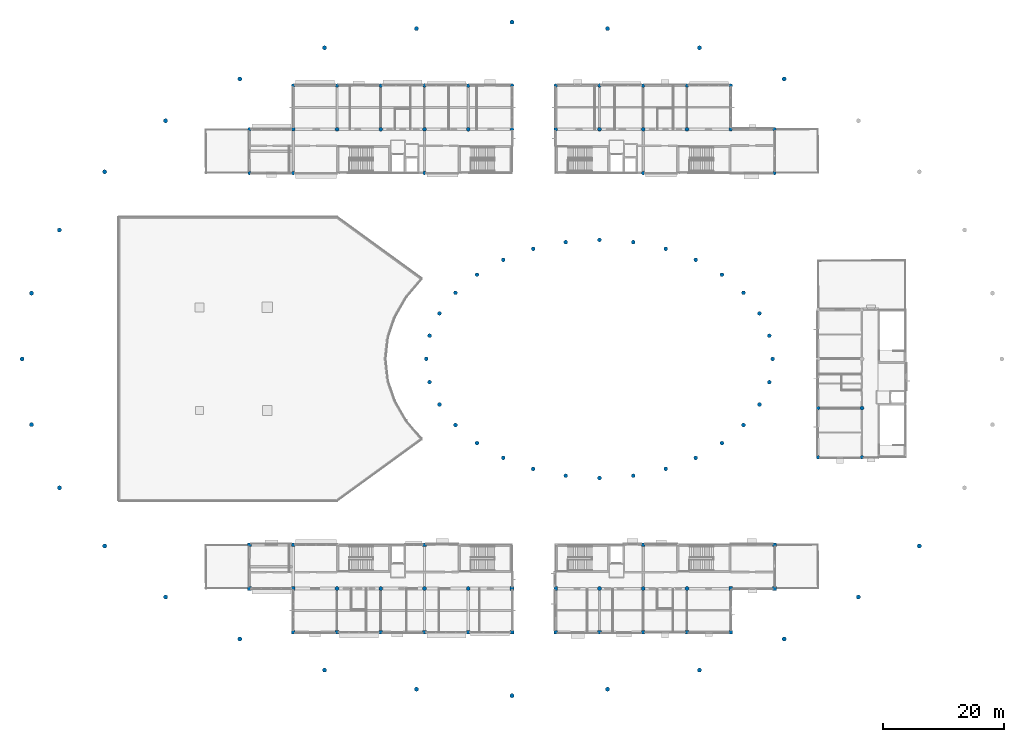
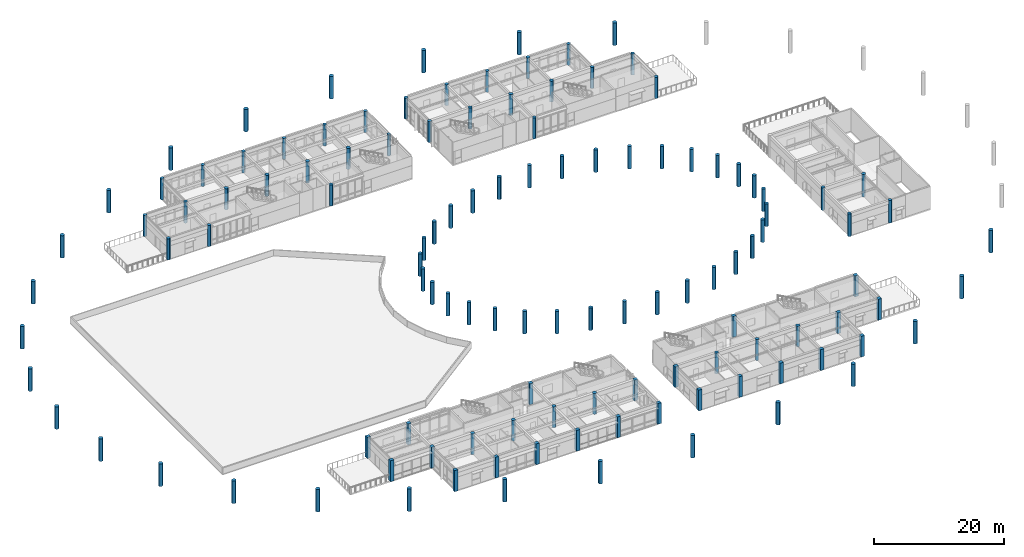
# One storey, part 1 of 55: 119 columns.
"""IFC4 building model written with IfcOpenShell, lengths in metres."""

from ifc_helpers import new_model, si_unit, direction, frame, origin, origin_2d, place, context, subcontext, project, spatial, rectangle, circle, extrude, material, material_profile, profile_set, type_object, element, save


model = new_model("IFC4")

# Units and contexts
model_context = context("Model", 3, precision=1e-05, world=origin(), true_north=direction((0.0, 1.0)))
body_context = subcontext(model_context, "Body", "Model", "MODEL_VIEW")
ifc_project = project(units=[si_unit("LENGTHUNIT", "METRE"), si_unit("AREAUNIT", "SQUARE_METRE"), si_unit("VOLUMEUNIT", "CUBIC_METRE"), si_unit("PLANEANGLEUNIT", "RADIAN"), si_unit("MASSUNIT", "GRAM", prefix="KILO")], contexts=[model_context])

# Site, building, storey
site_placement = place(None, origin())
site = spatial("IfcSite", under=ifc_project, at=site_placement, CompositionType="ELEMENT")
building_placement = place(site_placement, origin())
building = spatial("IfcBuilding", under=site, at=building_placement, Name="Namkhue Oval Health Centre", CompositionType="ELEMENT")
storey_placement = place(building_placement, frame((0.0, 0.0, 9.60009765625)))
storey = spatial("IfcBuildingStorey", under=building, at=storey_placement, Name="L02", CompositionType="ELEMENT", Elevation=9.60009765625)

# Columns
ifc_material = material(Name="Reinforced concrete C35/45 (TCVN B40)", Category="concrete")
ifc_material_profile_1 = material_profile(ifc_material, rectangle(XDim=0.60009765625, YDim=0.60009765625, at=origin_2d()), Name="RC 600x600")
ifc_profile_set_1 = profile_set([ifc_material_profile_1], Name="Reinforced concrete C35/45 (TCVN B40)")
column_type_1 = type_object("IfcColumnType", Name="RC COLUMN 600X600 EXT", PredefinedType="COLUMN", material=ifc_profile_set_1)
for number, where, z_axis, x_axis, name in (
    (1, (43.199951171875, 21.60009765625, 0.0), (0.0, 0.0, 1.0), (1.0, 0.0, 0.0), "Volume V4 L02 Column 7/D"),
    (2, (43.199951171875, 28.800048828125, 0.0), (0.0, 0.0, 1.0), (1.0, 0.0, 0.0), "Volume V4 L02 Column 7/E"),
    (3, (50.39990234375, 14.39990234375, 0.0), (0.0, 0.0, 1.0), (1.0, 0.0, 0.0), "Volume V4 L02 Column 8/C"),
    (4, (50.39990234375, 21.60009765625, 0.0), (0.0, 0.0, 1.0), (1.0, 0.0, 0.0), "Volume V4 L02 Column 8/D"),
    (5, (50.39990234375, 28.800048828125, 0.0), (0.0, 0.0, 1.0), (1.0, 0.0, 0.0), "Volume V4 L02 Column 8/E"),
):
    element("IfcColumn", number, at=place(storey_placement, frame(where, z_axis=z_axis, x_axis=x_axis)), inside=storey, type_object=column_type_1, Name=name, PredefinedType="COLUMN", context=body_context, shape_type="SweptSolid", body=[
        extrude(rectangle(XDim=0.60009765625, YDim=0.60009765625, at=origin_2d()), origin(), (0.0, 0.0, 1.0), 3.94189453125),
    ])
for number, where, z_axis, x_axis, name in (
    (6, (57.60009765625, 14.39990234375, 0.0), (0.0, 0.0, 1.0), (1.0, 0.0, 0.0), "Volume V4 L02 Column 9/C"),
    (7, (64.800048828125, 14.39990234375, 0.0), (0.0, 0.0, 1.0), (1.0, 0.0, 0.0), "Volume V4 L02 Column 10/C"),
    (8, (72.0, 14.39990234375, 0.0), (0.0, 0.0, 1.0), (1.0, 0.0, 0.0), "Volume V4 L02 Column 11/C"),
    (9, (72.0, 28.800048828125, 0.0), (0.0, 0.0, 1.0), (1.0, 0.0, 0.0), "Volume V4 L02 Column 11/E"),
    (10, (79.199951171875, 14.39990234375, 0.0), (0.0, 0.0, 1.0), (1.0, 0.0, 0.0), "Volume V4 L02 Column 12/C"),
    (11, (86.39990234375, 14.39990234375, 0.0), (0.0, 0.0, 1.0), (1.0, 0.0, 0.0), "Volume V4 L02 Column 13/C"),
    (12, (86.39990234375, 21.60009765625, 0.0), (0.0, 0.0, 1.0), (1.0, 0.0, 0.0), "Volume V4 L02 Column 13/D"),
):
    element("IfcColumn", number, at=place(storey_placement, frame(where, z_axis=z_axis, x_axis=x_axis)), inside=storey, type_object=column_type_1, Name=name, PredefinedType="COLUMN", context=body_context, shape_type="SweptSolid", body=[
        extrude(rectangle(XDim=0.60009765625, YDim=0.60009765625, at=origin_2d()), origin(), (0.0, 0.0, 1.0), 3.89990234375),
    ])
for number, where, z_axis, x_axis, name in (
    (13, (93.60009765625, 14.39990234375, 0.0), (0.0, 0.0, 1.0), (1.0, 0.0, 0.0), "Volume V5 L02 Column 14/C"),
    (14, (93.60009765625, 21.60009765625, 0.0), (0.0, 0.0, 1.0), (1.0, 0.0, 0.0), "Volume V5 L02 Column 14/D"),
    (15, (100.800048828125, 14.39990234375, 0.0), (0.0, 0.0, 1.0), (1.0, 0.0, 0.0), "Volume V5 L02 Column 15/C"),
    (16, (108.0, 14.39990234375, 0.0), (0.0, 0.0, 1.0), (1.0, 0.0, 0.0), "Volume V5 L02 Column 16/C"),
    (17, (108.0, 28.800048828125, 0.0), (0.0, 0.0, 1.0), (1.0, 0.0, 0.0), "Volume V5 L02 Column 16/E"),
    (18, (115.199951171875, 14.39990234375, 0.0), (0.0, 0.0, 1.0), (1.0, 0.0, 0.0), "Volume V5 L02 Column 17/C"),
    (19, (122.39990234375, 14.39990234375, 0.0), (0.0, 0.0, 1.0), (1.0, 0.0, 0.0), "Volume V5 L02 Column 18/C"),
    (20, (122.39990234375, 21.60009765625, 0.0), (0.0, 0.0, 1.0), (1.0, 0.0, 0.0), "Volume V5 L02 Column 18/D"),
):
    element("IfcColumn", number, at=place(storey_placement, frame(where, z_axis=z_axis, x_axis=x_axis)), inside=storey, type_object=column_type_1, Name=name, PredefinedType="COLUMN", context=body_context, shape_type="SweptSolid", body=[
        extrude(rectangle(XDim=0.60009765625, YDim=0.60009765625, at=origin_2d()), origin(), (0.0, 0.0, 1.0), 3.885009765625),
    ])
for number, where, z_axis, x_axis, name in (
    (21, (129.60009765625, 21.60009765625, 0.0), (0.0, 0.0, 1.0), (1.0, 0.0, 0.0), "Volume V5 L02 Column 19/D"),
    (22, (129.60009765625, 28.800048828125, 0.0), (0.0, 0.0, 1.0), (1.0, 0.0, 0.0), "Volume V5 L02 Column 19/E"),
):
    element("IfcColumn", number, at=place(storey_placement, frame(where, z_axis=z_axis, x_axis=x_axis)), inside=storey, type_object=column_type_1, Name=name, PredefinedType="COLUMN", context=body_context, shape_type="SweptSolid", body=[
        extrude(rectangle(XDim=0.60009765625, YDim=0.60009765625, at=origin_2d()), origin(), (0.0, 0.0, 1.0), 3.931884765625),
    ])
ifc_material_profile_2 = material_profile(ifc_material, circle(Radius=0.300048828125, at=origin_2d()), Name="RC D600")
ifc_profile_set_2 = profile_set([ifc_material_profile_2], Name="Reinforced concrete C35/45 (TCVN B40)")
column_type_2 = type_object("IfcColumnType", Name="RC COLUMN D600 EXT", PredefinedType="COLUMN", material=ifc_profile_set_2)
for number, where, z_axis, x_axis, name in (
    (23, (43.199951171875, 90.0, 0.0), (0.0, 0.0, 1.0), (1.0, 0.0, 0.0), "Volume V2 L02 Column 7/N"),
    (24, (43.199951171875, 97.199951171875, 0.0), (0.0, 0.0, 1.0), (1.0, 0.0, 0.0), "Volume V2 L02 Column 7/O"),
):
    element("IfcColumn", number, at=place(storey_placement, frame(where, z_axis=z_axis, x_axis=x_axis)), inside=storey, type_object=column_type_2, Name=name, PredefinedType="COLUMN", context=body_context, shape_type="SweptSolid", body=[
        extrude(circle(Radius=0.300048828125, at=origin_2d()), origin(), (0.0, 0.0, 1.0), 3.977783203125),
    ])
for number, where, z_axis, x_axis, name in (
    (25, (50.39990234375, 90.0, 0.0), (0.0, 0.0, 1.0), (1.0, 0.0, 0.0), "Volume V2 L02 Column 8/N"),
    (26, (50.39990234375, 97.199951171875, 0.0), (0.0, 0.0, 1.0), (1.0, 0.0, 0.0), "Volume V2 L02 Column 8/O"),
    (27, (50.39990234375, 104.39990234375, 0.0), (0.0, 0.0, 1.0), (1.0, 0.0, 0.0), "Volume V2 L02 Column 8/P"),
    (28, (57.60009765625, 104.39990234375, 0.0), (0.0, 0.0, 1.0), (1.0, 0.0, 0.0), "Volume V2 L02 Column 9/P"),
    (29, (64.800048828125, 104.39990234375, 0.0), (0.0, 0.0, 1.0), (1.0, 0.0, 0.0), "Volume V2 L02 Column 10/P"),
    (30, (72.0, 90.0, 0.0), (0.0, 0.0, 1.0), (1.0, 0.0, 0.0), "Volume V2 L02 Column 11/N"),
    (31, (72.0, 104.39990234375, 0.0), (0.0, 0.0, 1.0), (1.0, 0.0, 0.0), "Volume V2 L02 Column 11/P"),
    (32, (79.199951171875, 104.39990234375, 0.0), (0.0, 0.0, 1.0), (1.0, 0.0, 0.0), "Volume V2 L02 Column 12/P"),
    (33, (86.39990234375, 97.199951171875, 0.0), (0.0, 0.0, 1.0), (1.0, 0.0, 0.0), "Volume V2 L02 Column 13/O"),
    (34, (86.39990234375, 104.39990234375, 0.0), (0.0, 0.0, 1.0), (1.0, 0.0, 0.0), "Volume V2 L02 Column 13/P"),
):
    element("IfcColumn", number, at=place(storey_placement, frame(where, z_axis=z_axis, x_axis=x_axis)), inside=storey, type_object=column_type_2, Name=name, PredefinedType="COLUMN", context=body_context, shape_type="SweptSolid", body=[
        extrude(circle(Radius=0.300048828125, at=origin_2d()), origin(), (0.0, 0.0, 1.0), 3.949951171875),
    ])
for number, where, z_axis, x_axis, name in (
    (35, (93.60009765625, 97.199951171875, 0.0), (0.0, 0.0, 1.0), (1.0, 0.0, 0.0), "Volume V3 L02 Column 14/O"),
    (36, (93.60009765625, 104.39990234375, 0.0), (0.0, 0.0, 1.0), (1.0, 0.0, 0.0), "Volume V3 L02 Column 14/P"),
    (37, (100.800048828125, 104.39990234375, 0.0), (0.0, 0.0, 1.0), (1.0, 0.0, 0.0), "Volume V3 L02 Column 15/P"),
    (38, (108.0, 90.0, 0.0), (0.0, 0.0, 1.0), (1.0, 0.0, 0.0), "Volume V3 L02 Column 16/N"),
    (39, (108.0, 104.39990234375, 0.0), (0.0, 0.0, 1.0), (1.0, 0.0, 0.0), "Volume V3 L02 Column 16/P"),
    (40, (115.199951171875, 104.39990234375, 0.0), (0.0, 0.0, 1.0), (1.0, 0.0, 0.0), "Volume V3 L02 Column 17/P"),
    (41, (122.39990234375, 97.199951171875, 0.0), (0.0, 0.0, 1.0), (1.0, 0.0, 0.0), "Volume V3 L02 Column 18/O"),
    (42, (122.39990234375, 104.39990234375, 0.0), (0.0, 0.0, 1.0), (1.0, 0.0, 0.0), "Volume V3 L02 Column 18/P"),
):
    element("IfcColumn", number, at=place(storey_placement, frame(where, z_axis=z_axis, x_axis=x_axis)), inside=storey, type_object=column_type_2, Name=name, PredefinedType="COLUMN", context=body_context, shape_type="SweptSolid", body=[
        extrude(circle(Radius=0.300048828125, at=origin_2d()), origin(), (0.0, 0.0, 1.0), 3.9248046875),
    ])
for number, where, z_axis, x_axis, name in (
    (43, (129.60009765625, 90.0, 0.0), (0.0, 0.0, 1.0), (1.0, 0.0, 0.0), "Volume V3 L02 Column 19/N"),
    (44, (129.60009765625, 97.199951171875, 0.0), (0.0, 0.0, 1.0), (1.0, 0.0, 0.0), "Volume V3 L02 Column 19/O"),
):
    element("IfcColumn", number, at=place(storey_placement, frame(where, z_axis=z_axis, x_axis=x_axis)), inside=storey, type_object=column_type_2, Name=name, PredefinedType="COLUMN", context=body_context, shape_type="SweptSolid", body=[
        extrude(circle(Radius=0.300048828125, at=origin_2d()), origin(), (0.0, 0.0, 1.0), 3.9580078125),
    ])
for number, where, z_axis, x_axis, name in (
    (45, (136.800048828125, 43.199951171875, 0.0), (0.0, 0.0, 1.0), (1.0, 0.0, 0.0), "Volume V6 L02 Column 20/G"),
    (46, (136.800048828125, 51.300048828125, 0.0), (0.0, 0.0, 1.0), (1.0, 0.0, 0.0), "Volume V6 L02 Column 20/H"),
    (47, (144.0, 43.199951171875, 0.0), (0.0, 0.0, 1.0), (1.0, 0.0, 0.0), "Volume V6 L02 Column 21/G"),
):
    element("IfcColumn", number, at=place(storey_placement, frame(where, z_axis=z_axis, x_axis=x_axis)), inside=storey, type_object=column_type_2, Name=name, PredefinedType="COLUMN", context=body_context, shape_type="SweptSolid", body=[
        extrude(circle(Radius=0.300048828125, at=origin_2d()), origin(), (0.0, 0.0, 1.0), 4.199951171875),
    ])
ifc_material_profile_3 = material_profile(ifc_material, circle(Radius=0.324951171875, at=origin_2d()), Name="RC D650")
ifc_profile_set_3 = profile_set([ifc_material_profile_3], Name="Reinforced concrete C35/45 (TCVN B40)")
column_type_3 = type_object("IfcColumnType", Name="RC COLUMN D650 EXT", PredefinedType="COLUMN", material=ifc_profile_set_3)
for number, where, z_axis, x_axis, name in (
    (48, (129.31201171875, 59.39990234375, 0.0), (0.0, 0.0, 1.0), (1.0, 0.0, 0.0), "Gridshell IR Colonnade Column 1 L02"),
    (49, (128.76416015625, 63.22412109375, 0.0), (0.0, 0.0, 1.0), (1.0, 0.0, 0.0), "Gridshell IR Colonnade Column 2 L02"),
    (50, (127.1416015625, 66.9013671875, 0.0), (0.0, 0.0, 1.0), (1.0, 0.0, 0.0), "Gridshell IR Colonnade Column 3 L02"),
    (51, (124.5068359375, 70.290283203125, 0.0), (0.0, 0.0, 1.0), (1.0, 0.0, 0.0), "Gridshell IR Colonnade Column 4 L02"),
    (52, (120.9609375, 73.2607421875, 0.0), (0.0, 0.0, 1.0), (1.0, 0.0, 0.0), "Gridshell IR Colonnade Column 5 L02"),
    (53, (116.640380859375, 75.698486328125, 0.0), (0.0, 0.0, 1.0), (1.0, 0.0, 0.0), "Gridshell IR Colonnade Column 6 L02"),
    (54, (111.711181640625, 77.509765625, 0.0), (0.0, 0.0, 1.0), (1.0, 0.0, 0.0), "Gridshell IR Colonnade Column 7 L02"),
    (55, (106.3623046875, 78.625244140625, 0.0), (0.0, 0.0, 1.0), (1.0, 0.0, 0.0), "Gridshell IR Colonnade Column 8 L02"),
    (56, (100.800048828125, 79.001953125, 0.0), (0.0, 0.0, 1.0), (1.0, 0.0, 0.0), "Gridshell IR Colonnade Column 9 L02"),
    (57, (95.237548828125, 78.625244140625, 0.0), (0.0, 0.0, 1.0), (1.0, 0.0, 0.0), "Gridshell IR Colonnade Column 10 L02"),
    (58, (89.888916015625, 77.509765625, 0.0), (0.0, 0.0, 1.0), (1.0, 0.0, 0.0), "Gridshell IR Colonnade Column 11 L02"),
    (59, (84.95947265625, 75.698486328125, 0.0), (0.0, 0.0, 1.0), (1.0, 0.0, 0.0), "Gridshell IR Colonnade Column 12 L02"),
    (60, (80.638916015625, 73.2607421875, 0.0), (0.0, 0.0, 1.0), (1.0, 0.0, 0.0), "Gridshell IR Colonnade Column 13 L02"),
    (61, (77.093017578125, 70.290283203125, 0.0), (0.0, 0.0, 1.0), (1.0, 0.0, 0.0), "Gridshell IR Colonnade Column 14 L02"),
    (62, (74.458251953125, 66.9013671875, 0.0), (0.0, 0.0, 1.0), (1.0, 0.0, 0.0), "Gridshell IR Colonnade Column 15 L02"),
    (63, (72.8359375, 63.22412109375, 0.0), (0.0, 0.0, 1.0), (1.0, 0.0, 0.0), "Gridshell IR Colonnade Column 16 L02"),
    (64, (72.2880859375, 59.39990234375, 0.0), (0.0, 0.0, 1.0), (1.0, 0.0, 0.0), "Gridshell IR Colonnade Column 17 L02"),
    (65, (72.8359375, 55.575927734375, 0.0), (0.0, 0.0, 1.0), (1.0, 0.0, 0.0), "Gridshell IR Colonnade Column 18 L02"),
    (66, (74.458251953125, 51.898681640625, 0.0), (0.0, 0.0, 1.0), (1.0, 0.0, 0.0), "Gridshell IR Colonnade Column 19 L02"),
    (67, (77.093017578125, 48.509765625, 0.0), (0.0, 0.0, 1.0), (1.0, 0.0, 0.0), "Gridshell IR Colonnade Column 20 L02"),
    (68, (80.638916015625, 45.539306640625, 0.0), (0.0, 0.0, 1.0), (1.0, 0.0, 0.0), "Gridshell IR Colonnade Column 21 L02"),
    (69, (84.95947265625, 43.1015625, 0.0), (0.0, 0.0, 1.0), (1.0, 0.0, 0.0), "Gridshell IR Colonnade Column 22 L02"),
    (70, (89.888916015625, 41.2900390625, 0.0), (0.0, 0.0, 1.0), (1.0, 0.0, 0.0), "Gridshell IR Colonnade Column 23 L02"),
    (71, (95.237548828125, 40.174560546875, 0.0), (0.0, 0.0, 1.0), (1.0, 0.0, 0.0), "Gridshell IR Colonnade Column 24 L02"),
    (72, (100.800048828125, 39.798095703125, 0.0), (0.0, 0.0, 1.0), (1.0, 0.0, 0.0), "Gridshell IR Colonnade Column 25 L02"),
    (73, (106.3623046875, 40.174560546875, 0.0), (0.0, 0.0, 1.0), (1.0, 0.0, 0.0), "Gridshell IR Colonnade Column 26 L02"),
    (74, (111.711181640625, 41.2900390625, 0.0), (0.0, 0.0, 1.0), (1.0, 0.0, 0.0), "Gridshell IR Colonnade Column 27 L02"),
    (75, (116.640380859375, 43.1015625, 0.0), (0.0, 0.0, 1.0), (1.0, 0.0, 0.0), "Gridshell IR Colonnade Column 28 L02"),
    (76, (120.9609375, 45.539306640625, 0.0), (0.0, 0.0, 1.0), (1.0, 0.0, 0.0), "Gridshell IR Colonnade Column 29 L02"),
    (77, (124.5068359375, 48.509765625, 0.0), (0.0, 0.0, 1.0), (1.0, 0.0, 0.0), "Gridshell IR Colonnade Column 30 L02"),
    (78, (127.1416015625, 51.898681640625, 0.0), (0.0, 0.0, 1.0), (1.0, 0.0, 0.0), "Gridshell IR Colonnade Column 31 L02"),
    (79, (128.76416015625, 55.575927734375, 0.0), (0.0, 0.0, 1.0), (1.0, 0.0, 0.0), "Gridshell IR Colonnade Column 32 L02"),
):
    element("IfcColumn", number, at=place(storey_placement, frame(where, z_axis=z_axis, x_axis=x_axis)), inside=storey, type_object=column_type_3, Name=name, PredefinedType="COLUMN", context=body_context, shape_type="SweptSolid", body=[
        extrude(circle(Radius=0.324951171875, at=origin_2d()), origin(), (0.0, 0.0, 1.0), 4.199951171875),
    ])
ifc_material_profile_4 = material_profile(ifc_material, circle(Radius=0.324951171875, at=origin_2d()), Name="RC D650")
ifc_profile_set_4 = profile_set([ifc_material_profile_4], Name="Reinforced concrete C35/45 (TCVN B40)")
column_type_4 = type_object("IfcColumnType", Name="RC COLUMN D650 INT", PredefinedType="COLUMN", material=ifc_profile_set_4)
for number, where, z_axis, x_axis, name in (
    (80, (57.60009765625, 97.199951171875, 0.0), (0.0, 0.0, 1.0), (1.0, 0.0, 0.0), "Volume V2 L02 Column 9/O"),
    (81, (64.800048828125, 97.199951171875, 0.0), (0.0, 0.0, 1.0), (1.0, 0.0, 0.0), "Volume V2 L02 Column 10/O"),
    (82, (72.0, 97.199951171875, 0.0), (0.0, 0.0, 1.0), (1.0, 0.0, 0.0), "Volume V2 L02 Column 11/O"),
    (83, (79.199951171875, 97.199951171875, 0.0), (0.0, 0.0, 1.0), (1.0, 0.0, 0.0), "Volume V2 L02 Column 12/O"),
):
    element("IfcColumn", number, at=place(storey_placement, frame(where, z_axis=z_axis, x_axis=x_axis)), inside=storey, type_object=column_type_4, Name=name, PredefinedType="COLUMN", context=body_context, shape_type="SweptSolid", body=[
        extrude(circle(Radius=0.324951171875, at=origin_2d()), origin(), (0.0, 0.0, 1.0), 3.949951171875),
    ])
for number, where, z_axis, x_axis, name in (
    (84, (100.800048828125, 97.199951171875, 0.0), (0.0, 0.0, 1.0), (1.0, 0.0, 0.0), "Volume V3 L02 Column 15/O"),
    (85, (108.0, 97.199951171875, 0.0), (0.0, 0.0, 1.0), (1.0, 0.0, 0.0), "Volume V3 L02 Column 16/O"),
    (86, (115.199951171875, 97.199951171875, 0.0), (0.0, 0.0, 1.0), (1.0, 0.0, 0.0), "Volume V3 L02 Column 17/O"),
):
    element("IfcColumn", number, at=place(storey_placement, frame(where, z_axis=z_axis, x_axis=x_axis)), inside=storey, type_object=column_type_4, Name=name, PredefinedType="COLUMN", context=body_context, shape_type="SweptSolid", body=[
        extrude(circle(Radius=0.324951171875, at=origin_2d()), origin(), (0.0, 0.0, 1.0), 3.9248046875),
    ])
for number, where, z_axis, x_axis, name in (
    (87, (57.60009765625, 21.60009765625, 0.0), (0.0, 0.0, 1.0), (1.0, 0.0, 0.0), "Volume V4 L02 Column 9/D"),
    (88, (64.800048828125, 21.60009765625, 0.0), (0.0, 0.0, 1.0), (1.0, 0.0, 0.0), "Volume V4 L02 Column 10/D"),
    (89, (72.0, 21.60009765625, 0.0), (0.0, 0.0, 1.0), (1.0, 0.0, 0.0), "Volume V4 L02 Column 11/D"),
    (90, (79.199951171875, 21.60009765625, 0.0), (0.0, 0.0, 1.0), (1.0, 0.0, 0.0), "Volume V4 L02 Column 12/D"),
):
    element("IfcColumn", number, at=place(storey_placement, frame(where, z_axis=z_axis, x_axis=x_axis)), inside=storey, type_object=column_type_4, Name=name, PredefinedType="COLUMN", context=body_context, shape_type="SweptSolid", body=[
        extrude(circle(Radius=0.324951171875, at=origin_2d()), origin(), (0.0, 0.0, 1.0), 3.89990234375),
    ])
for number, where, z_axis, x_axis, name in (
    (91, (100.800048828125, 21.60009765625, 0.0), (0.0, 0.0, 1.0), (1.0, 0.0, 0.0), "Volume V5 L02 Column 15/D"),
    (92, (108.0, 21.60009765625, 0.0), (0.0, 0.0, 1.0), (1.0, 0.0, 0.0), "Volume V5 L02 Column 16/D"),
    (93, (115.199951171875, 21.60009765625, 0.0), (0.0, 0.0, 1.0), (1.0, 0.0, 0.0), "Volume V5 L02 Column 17/D"),
):
    element("IfcColumn", number, at=place(storey_placement, frame(where, z_axis=z_axis, x_axis=x_axis)), inside=storey, type_object=column_type_4, Name=name, PredefinedType="COLUMN", context=body_context, shape_type="SweptSolid", body=[
        extrude(circle(Radius=0.324951171875, at=origin_2d()), origin(), (0.0, 0.0, 1.0), 3.885009765625),
    ])
column_placement = place(storey_placement, frame((144.0, 51.300048828125, 0.0), z_axis=(0.0, 0.0, 1.0), x_axis=(1.0, 0.0, 0.0)))
element("IfcColumn", 94, at=column_placement, inside=storey, type_object=column_type_4, Name="Volume V6 L02 Column 21/H", PredefinedType="COLUMN", context=body_context, shape_type="SweptSolid", body=[
    extrude(circle(Radius=0.324951171875, at=origin_2d()), origin(), (0.0, 0.0, 1.0), 4.199951171875),
])
ifc_material_profile_5 = material_profile(ifc_material, circle(Radius=0.35009765625, at=origin_2d()), Name="RC D700")
ifc_profile_set_5 = profile_set([ifc_material_profile_5], Name="Reinforced concrete C35/45 (TCVN B40)")
column_type_5 = type_object("IfcColumnType", Name="RC COLUMN D700 EXT", PredefinedType="COLUMN", material=ifc_profile_set_5)
for number, where, z_axis, x_axis, name in (
    (95, (131.201171875, 105.49658203125, 0.0), (0.0, 0.0, 1.0), (1.0, 0.0, 0.0), "Gridshell OR Colonnade Column 6 L02"),
    (96, (117.259521484375, 110.619873046875, 0.0), (0.0, 0.0, 1.0), (1.0, 0.0, 0.0), "Gridshell OR Colonnade Column 7 L02"),
    (97, (102.132080078125, 113.774658203125, 0.0), (0.0, 0.0, 1.0), (1.0, 0.0, 0.0), "Gridshell OR Colonnade Column 8 L02"),
    (98, (86.39990234375, 114.840087890625, 0.0), (0.0, 0.0, 1.0), (1.0, 0.0, 0.0), "Gridshell OR Colonnade Column 9 L02"),
    (99, (70.66796875, 113.774658203125, 0.0), (0.0, 0.0, 1.0), (1.0, 0.0, 0.0), "Gridshell OR Colonnade Column 10 L02"),
    (100, (55.54052734375, 110.619873046875, 0.0), (0.0, 0.0, 1.0), (1.0, 0.0, 0.0), "Gridshell OR Colonnade Column 11 L02"),
    (101, (41.598876953125, 105.49658203125, 0.0), (0.0, 0.0, 1.0), (1.0, 0.0, 0.0), "Gridshell OR Colonnade Column 12 L02"),
    (102, (29.37890625, 98.60205078125, 0.0), (0.0, 0.0, 1.0), (1.0, 0.0, 0.0), "Gridshell OR Colonnade Column 13 L02"),
    (103, (19.350341796875, 90.200927734375, 0.0), (0.0, 0.0, 1.0), (1.0, 0.0, 0.0), "Gridshell OR Colonnade Column 14 L02"),
    (104, (11.8984375, 80.615966796875, 0.0), (0.0, 0.0, 1.0), (1.0, 0.0, 0.0), "Gridshell OR Colonnade Column 15 L02"),
    (105, (7.3095703125, 70.2158203125, 0.0), (0.0, 0.0, 1.0), (1.0, 0.0, 0.0), "Gridshell OR Colonnade Column 16 L02"),
    (106, (5.760009765625, 59.39990234375, 0.0), (0.0, 0.0, 1.0), (1.0, 0.0, 0.0), "Gridshell OR Colonnade Column 17 L02"),
    (107, (7.3095703125, 48.584228515625, 0.0), (0.0, 0.0, 1.0), (1.0, 0.0, 0.0), "Gridshell OR Colonnade Column 18 L02"),
    (108, (11.8984375, 38.18408203125, 0.0), (0.0, 0.0, 1.0), (1.0, 0.0, 0.0), "Gridshell OR Colonnade Column 19 L02"),
    (109, (19.350341796875, 28.59912109375, 0.0), (0.0, 0.0, 1.0), (1.0, 0.0, 0.0), "Gridshell OR Colonnade Column 20 L02"),
    (110, (29.37890625, 20.197998046875, 0.0), (0.0, 0.0, 1.0), (1.0, 0.0, 0.0), "Gridshell OR Colonnade Column 21 L02"),
    (111, (41.598876953125, 13.30322265625, 0.0), (0.0, 0.0, 1.0), (1.0, 0.0, 0.0), "Gridshell OR Colonnade Column 22 L02"),
    (112, (55.54052734375, 8.18017578125, 0.0), (0.0, 0.0, 1.0), (1.0, 0.0, 0.0), "Gridshell OR Colonnade Column 23 L02"),
    (113, (70.66796875, 5.025146484375, 0.0), (0.0, 0.0, 1.0), (1.0, 0.0, 0.0), "Gridshell OR Colonnade Column 24 L02"),
    (114, (86.39990234375, 3.9599609375, 0.0), (0.0, 0.0, 1.0), (1.0, 0.0, 0.0), "Gridshell OR Colonnade Column 25 L02"),
    (115, (102.132080078125, 5.025146484375, 0.0), (0.0, 0.0, 1.0), (1.0, 0.0, 0.0), "Gridshell OR Colonnade Column 26 L02"),
    (116, (117.259521484375, 8.18017578125, 0.0), (0.0, 0.0, 1.0), (1.0, 0.0, 0.0), "Gridshell OR Colonnade Column 27 L02"),
    (117, (131.201171875, 13.30322265625, 0.0), (0.0, 0.0, 1.0), (1.0, 0.0, 0.0), "Gridshell OR Colonnade Column 28 L02"),
    (118, (143.421142578125, 20.197998046875, 0.0), (0.0, 0.0, 1.0), (1.0, 0.0, 0.0), "Gridshell OR Colonnade Column 29 L02"),
    (119, (153.44970703125, 28.59912109375, 0.0), (0.0, 0.0, 1.0), (1.0, 0.0, 0.0), "Gridshell OR Colonnade Column 30 L02"),
):
    element("IfcColumn", number, at=place(storey_placement, frame(where, z_axis=z_axis, x_axis=x_axis)), inside=storey, type_object=column_type_5, Name=name, PredefinedType="COLUMN", context=body_context, shape_type="SweptSolid", body=[
        extrude(circle(Radius=0.35009765625, at=origin_2d()), origin(), (0.0, 0.0, 1.0), 4.199951171875),
    ])

save(model, "model.ifc")
